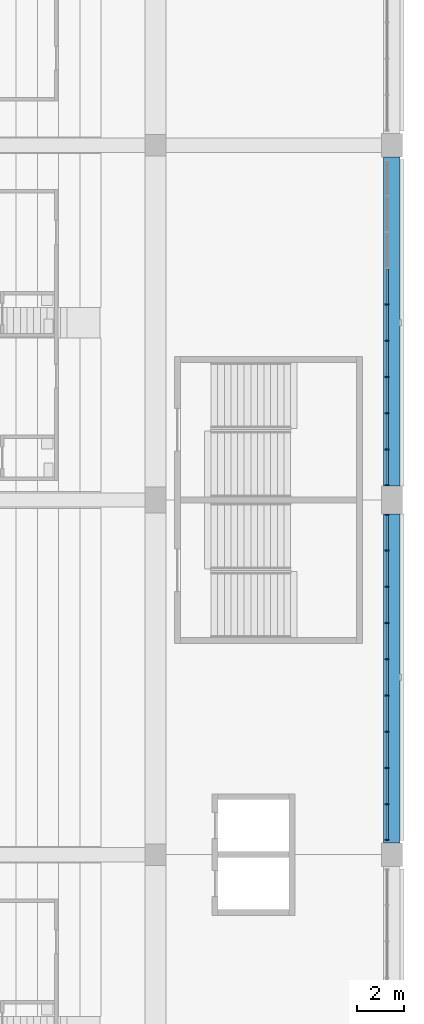
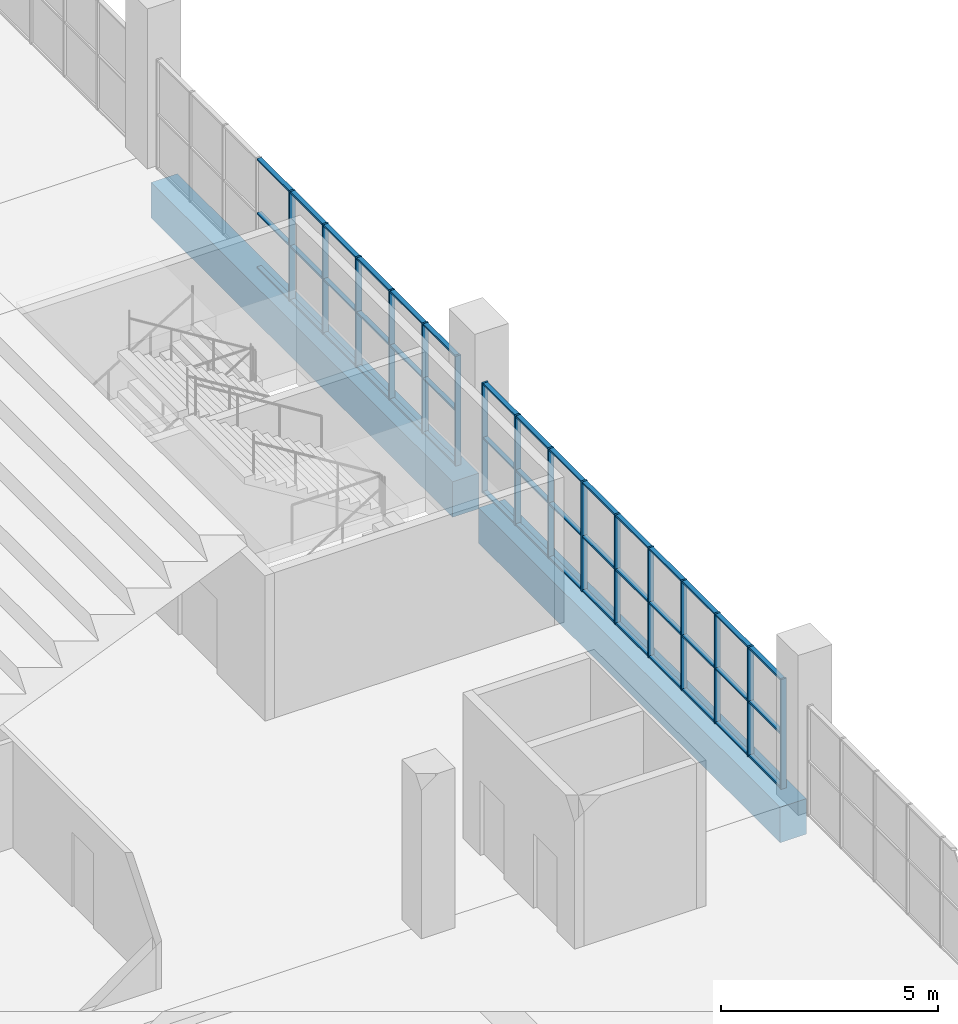
# One storey, part 37 of 249: 61 members, 2 beams, 2 elements without a shape of their own.
"""IFC4 building model written with IfcOpenShell, lengths in metres."""

import ifcopenshell
import ifcopenshell.guid

model = None  # the IFC model being written
_history = None  # IfcOwnerHistory: only IFC2X3 demands one
_inside = {}  # id of a spatial element -> (the spatial element, [elements in it])
_under = {}  # id of a project, library or spatial element -> (it, [spatial elements below it])
_declared = {}  # id of a project -> (the project, [libraries it declares])
_typed = {}  # id of a type object -> (the type object, [elements of that type])
_made_of = {}  # id of a material, layer set ... -> (it, [elements and type objects made of it])


def new_model(schema):
    """Start an empty IFC model of exactly this schema.

    Asked for "IFC4X3", IfcOpenShell would pick the latest addendum, in which some entities
    have other attributes; the version numbers below select the first issue.
    IFC2X3 requires an IfcOwnerHistory on every rooted entity: one is made here for all.
    """
    global model, _history
    if schema == "IFC4X3":
        model = ifcopenshell.file(schema_version=(4, 3, 0, 0))
    else:
        model = ifcopenshell.file(schema=schema)
    _inside.clear()
    _under.clear()
    _declared.clear()
    _typed.clear()
    _made_of.clear()
    _history = None
    if model.schema == "IFC2X3":
        org = make("IfcOrganization", Name="unknown")
        user = make(
            "IfcPersonAndOrganization",
            ThePerson=make("IfcPerson", FamilyName="unknown"),
            TheOrganization=org,
        )
        app = make(
            "IfcApplication",
            ApplicationDeveloper=org,
            Version="unknown",
            ApplicationFullName="unknown",
            ApplicationIdentifier="unknown",
        )
        _history = make(
            "IfcOwnerHistory",
            OwningUser=user,
            OwningApplication=app,
            ChangeAction="ADDED",
            CreationDate=0,
        )
    return model


def make(cls, **values):
    """One entity of the class cls with the attributes given. An attribute that is None is left unset."""
    return model.create_entity(
        cls, **{name: value for name, value in values.items() if value is not None}
    )


def rooted(cls, **values):
    """An entity with a GlobalId (a new one), such as an element, a storey or a relation."""
    return make(cls, GlobalId=ifcopenshell.guid.new(), OwnerHistory=_history, **values)


def si_unit(unit_type, name, prefix=None):
    """IfcSIUnit, for example si_unit("LENGTHUNIT", "METRE", prefix="MILLI")."""
    return make("IfcSIUnit", UnitType=unit_type, Prefix=prefix, Name=name)


def assignment(units):
    """IfcUnitAssignment: the units of a project."""
    return None if units is None else make("IfcUnitAssignment", Units=units)


def point(xyz):
    """IfcCartesianPoint."""
    return None if xyz is None else make("IfcCartesianPoint", Coordinates=xyz)


def direction(xyz):
    """IfcDirection."""
    return None if xyz is None else make("IfcDirection", DirectionRatios=xyz)


def frame(location, z_axis=None, x_axis=None):
    """IfcAxis2Placement3D, a coordinate frame: its origin and axes. An axis left out is left unset."""
    return make(
        "IfcAxis2Placement3D",
        Location=point(location),
        Axis=direction(z_axis),
        RefDirection=direction(x_axis),
    )


def frame_2d(location, x_axis=None):
    """IfcAxis2Placement2D, a coordinate frame in the plane: its origin and x axis."""
    return make(
        "IfcAxis2Placement2D", Location=point(location), RefDirection=direction(x_axis)
    )


def origin():
    """The frame at (0, 0, 0) with its axes left unset."""
    return frame((0.0, 0.0, 0.0))


def origin_2d():
    """The frame at (0, 0) in the plane with its x axis left unset."""
    return frame_2d((0.0, 0.0))


def place(relative_to, where):
    """IfcLocalPlacement: puts the frame where relative to a parent placement (None: the world)."""
    return make(
        "IfcLocalPlacement", PlacementRelTo=relative_to, RelativePlacement=where
    )


def context(
    kind, dimensions, precision=None, world=None, true_north=None, identifier=None
):
    """IfcGeometricRepresentationContext, for example the 3D "Model" context."""
    return make(
        "IfcGeometricRepresentationContext",
        ContextIdentifier=identifier,
        ContextType=kind,
        CoordinateSpaceDimension=dimensions,
        Precision=precision,
        WorldCoordinateSystem=world,
        TrueNorth=true_north,
    )


def subcontext(parent, identifier, kind, view, scale=None):
    """IfcGeometricRepresentationSubContext, for example "Body" below "Model"."""
    return make(
        "IfcGeometricRepresentationSubContext",
        ContextIdentifier=identifier,
        ContextType=kind,
        ParentContext=parent,
        TargetScale=scale,
        TargetView=view,
    )


def project(units=None, contexts=None):
    """IfcProject with its units and contexts."""
    return rooted(
        "IfcProject",
        Name="project",
        RepresentationContexts=contexts,
        UnitsInContext=assignment(units),
    )


def spatial(cls, under=None, at=None, **own):
    """A site, building, storey or space (cls), placed at a placement, below another one or the project."""
    s = rooted(cls, ObjectPlacement=at, **own)
    if under is not None:
        _under.setdefault(under.id(), (under, []))[1].append(s)
    return s


def profile(cls, at=None, kind="AREA", **sizes):
    """A parametric profile (cls). Its sizes go by their IFC names, for example OverallWidth=200.0."""
    return make(cls, ProfileType=kind, Position=at, **sizes)


def rectangle(**sizes):
    """IfcRectangleProfileDef."""
    return profile("IfcRectangleProfileDef", **sizes)


def extrude(swept, where, along, depth):
    """IfcExtrudedAreaSolid: the profile swept, set in the frame where, extruded along a direction by depth."""
    return make(
        "IfcExtrudedAreaSolid",
        SweptArea=swept,
        Position=where,
        ExtrudedDirection=direction(along),
        Depth=depth,
    )


def shape(context_of_items, identifier, shape_type, items):
    """IfcShapeRepresentation: the items that make up one representation, for example the "Body"."""
    return make(
        "IfcShapeRepresentation",
        ContextOfItems=context_of_items,
        RepresentationIdentifier=identifier,
        RepresentationType=shape_type,
        Items=items,
    )


def material(Name=None, Category=None):
    """IfcMaterial."""
    return make("IfcMaterial", Name=Name, Category=Category)


def material_profile(
    of_material, cross_section, Name=None, Category=None, Priority=None
):
    """IfcMaterialProfile: a cross section and its material."""
    return make(
        "IfcMaterialProfile",
        Name=Name,
        Material=of_material,
        Profile=cross_section,
        Priority=Priority,
        Category=Category,
    )


def profile_set(profiles, Name=None, composite=None):
    """IfcMaterialProfileSet."""
    return make(
        "IfcMaterialProfileSet",
        Name=Name,
        MaterialProfiles=profiles,
        CompositeProfile=composite,
    )


def made_of(thing, what):
    """Note that an element or type object is made of a material, layer set ...; save() writes the relation."""
    if what is not None:
        _made_of.setdefault(what.id(), (what, []))[1].append(thing)
    return thing


def type_object(cls, material=None, **own):
    """A type object (cls), such as IfcWallType, which elements share."""
    return made_of(rooted(cls, **own), material)


def element(
    cls,
    number,
    at=None,
    inside=None,
    cuts=None,
    type_object=None,
    material=None,
    context=None,
    identifier="Body",
    shape_type=None,
    held_by="IfcProductDefinitionShape",
    body=None,
    shapes=None,
    **own,
):
    """One element of the class cls, such as IfcWall. Its Tag is "e" and its number.

    at: its placement. inside: the storey or other place that contains it. cuts: it is an
    opening in that element (IfcRelVoidsElement). A single representation is given by context,
    identifier, shape_type and body (its items); several are given by shapes. held_by: the class
    of the entity that holds the representations. save() writes the other relations.
    """
    e = rooted(cls, Tag="e%d" % number, ObjectPlacement=at, **own)
    if body is not None:
        shapes = [shape(context, identifier, shape_type, body)]
    if shapes is not None:
        e.Representation = make(held_by, Representations=shapes)
    if inside is not None:
        _inside.setdefault(inside.id(), (inside, []))[1].append(e)
    if cuts is not None:
        rooted(
            "IfcRelVoidsElement", RelatingBuildingElement=cuts, RelatedOpeningElement=e
        )
    if type_object is not None:
        _typed.setdefault(type_object.id(), (type_object, []))[1].append(e)
    return made_of(e, material)


def aggregate(whole, parts):
    """IfcRelAggregates: a whole, such as a stair, and the parts it consists of."""
    return rooted("IfcRelAggregates", RelatingObject=whole, RelatedObjects=parts)


def save(model, path):
    """Write the relations noted so far, then the file.

    IfcRelAggregates (storeys below a building ...), IfcRelContainedInSpatialStructure (elements
    in a storey), IfcRelDefinesByType, IfcRelAssociatesMaterial and IfcRelDeclares: one each for
    every whole, place, type object, material and project.
    """
    for whole, parts in _under.values():
        aggregate(whole, parts)
    for where, things in _inside.values():
        rooted(
            "IfcRelContainedInSpatialStructure",
            RelatedElements=things,
            RelatingStructure=where,
        )
    for kind, things in _typed.values():
        rooted("IfcRelDefinesByType", RelatedObjects=things, RelatingType=kind)
    for what, things in _made_of.values():
        rooted("IfcRelAssociatesMaterial", RelatedObjects=things, RelatingMaterial=what)
    for by, libraries in _declared.values():
        rooted("IfcRelDeclares", RelatingContext=by, RelatedDefinitions=libraries)
    model.write(path)


model = new_model("IFC4")

# Units and contexts
model_context = context("Model", 3, precision=1e-05, world=origin(), true_north=direction((0.0, 1.0)))
body_context = subcontext(model_context, "Body", "Model", "MODEL_VIEW")
ifc_project = project(units=[si_unit("LENGTHUNIT", "METRE"), si_unit("AREAUNIT", "SQUARE_METRE"), si_unit("VOLUMEUNIT", "CUBIC_METRE"), si_unit("PLANEANGLEUNIT", "RADIAN"), si_unit("MASSUNIT", "GRAM", prefix="KILO")], contexts=[model_context])

# Site, building, storey
site_placement = place(None, origin())
site = spatial("IfcSite", under=ifc_project, at=site_placement, CompositionType="ELEMENT")
building_placement = place(site_placement, origin())
building = spatial("IfcBuilding", under=site, at=building_placement, Name="Ogive Plaza Stadium", CompositionType="ELEMENT")
storey_placement = place(building_placement, frame((0.0, 0.0, 13.5)))
storey = spatial("IfcBuildingStorey", under=building, at=storey_placement, Name="L03", CompositionType="ELEMENT", Elevation=13.5)

# Curtain wall, members
ifc_material_1 = material(Name="Bronze-anodised aluminium with laminated glass", Category="aluminium")
curtain_wall_type = type_object("IfcCurtainWallType", Name="Lancet curtain wall", PredefinedType="NOTDEFINED", material=ifc_material_1)
curtain_wall_1_placement = place(storey_placement, origin())
curtain_wall_1 = element("IfcCurtainWall", 1, at=curtain_wall_1_placement, inside=storey, type_object=curtain_wall_type, Name="CURTAIN WALL B03 L03", PredefinedType="NOTDEFINED")
ifc_material_2 = material(Name="Bronze-anodised aluminium", Category="aluminium")
ifc_material_profile_1 = material_profile(ifc_material_2, rectangle(XDim=0.14990234375, YDim=0.050048828125, at=origin_2d()), Name="AL 150x50")
ifc_profile_set_1 = profile_set([ifc_material_profile_1], Name="Bronze-anodised aluminium")
member_type_1 = type_object("IfcMemberType", Name="Curtain wall mullion 50x150", PredefinedType="MULLION", material=ifc_profile_set_1)
member_1_placement = place(storey_placement, frame((83.800048828125, 15.7666015625, 0.0), z_axis=(0.0, 0.0, 1.0), x_axis=(1.0, 0.0, 0.0)))
member_1 = element("IfcMember", 2, at=member_1_placement, type_object=member_type_1, Name="CW-B03-L03 mullion 5", PredefinedType="MULLION", context=body_context, shape_type="SweptSolid", body=[
    extrude(rectangle(XDim=0.14990234375, YDim=0.050048828125, at=origin_2d()), origin(), (0.0, 0.0, 1.0), 3.090087890625),
])
member_2_placement = place(storey_placement, frame((83.800048828125, 14.2333984375, 0.0), z_axis=(0.0, 0.0, 1.0), x_axis=(1.0, 0.0, 0.0)))
member_2 = element("IfcMember", 3, at=member_2_placement, type_object=member_type_1, Name="CW-B03-L03 mullion 6", PredefinedType="MULLION", context=body_context, shape_type="SweptSolid", body=[
    extrude(rectangle(XDim=0.14990234375, YDim=0.050048828125, at=origin_2d()), origin(), (0.0, 0.0, 1.0), 3.090087890625),
])
member_3_placement = place(storey_placement, frame((83.800048828125, 12.699951171875, 0.0), z_axis=(0.0, 0.0, 1.0), x_axis=(1.0, 0.0, 0.0)))
member_3 = element("IfcMember", 4, at=member_3_placement, type_object=member_type_1, Name="CW-B03-L03 mullion 7", PredefinedType="MULLION", context=body_context, shape_type="SweptSolid", body=[
    extrude(rectangle(XDim=0.14990234375, YDim=0.050048828125, at=origin_2d()), origin(), (0.0, 0.0, 1.0), 3.090087890625),
])
member_4_placement = place(storey_placement, frame((83.800048828125, 11.166748046875, 0.0), z_axis=(0.0, 0.0, 1.0), x_axis=(1.0, 0.0, 0.0)))
member_4 = element("IfcMember", 5, at=member_4_placement, type_object=member_type_1, Name="CW-B03-L03 mullion 8", PredefinedType="MULLION", context=body_context, shape_type="SweptSolid", body=[
    extrude(rectangle(XDim=0.14990234375, YDim=0.050048828125, at=origin_2d()), origin(), (0.0, 0.0, 1.0), 3.090087890625),
])
member_5_placement = place(storey_placement, frame((83.800048828125, 9.63330078125, 0.0), z_axis=(0.0, 0.0, 1.0), x_axis=(1.0, 0.0, 0.0)))
member_5 = element("IfcMember", 6, at=member_5_placement, type_object=member_type_1, Name="CW-B03-L03 mullion 9", PredefinedType="MULLION", context=body_context, shape_type="SweptSolid", body=[
    extrude(rectangle(XDim=0.14990234375, YDim=0.050048828125, at=origin_2d()), origin(), (0.0, 0.0, 1.0), 3.090087890625),
])
member_6_placement = place(storey_placement, frame((83.800048828125, 8.125, 0.0), z_axis=(0.0, 0.0, 1.0), x_axis=(1.0, 0.0, 0.0)))
member_6 = element("IfcMember", 7, at=member_6_placement, type_object=member_type_1, Name="CW-B03-L03 mullion 10", PredefinedType="MULLION", context=body_context, shape_type="SweptSolid", body=[
    extrude(rectangle(XDim=0.14990234375, YDim=0.050048828125, at=origin_2d()), origin(), (0.0, 0.0, 1.0), 3.090087890625),
])

curtain_wall_2_placement = place(storey_placement, origin())
curtain_wall_2 = element("IfcCurtainWall", 8, at=curtain_wall_2_placement, inside=storey, type_object=curtain_wall_type, Name="CURTAIN WALL B04 L03", PredefinedType="NOTDEFINED")
member_7_placement = place(storey_placement, frame((83.800048828125, 6.875, 0.0), z_axis=(0.0, 0.0, 1.0), x_axis=(1.0, 0.0, 0.0)))
member_7 = element("IfcMember", 9, at=member_7_placement, type_object=member_type_1, Name="CW-B04-L03 mullion 1", PredefinedType="MULLION", context=body_context, shape_type="SweptSolid", body=[
    extrude(rectangle(XDim=0.14990234375, YDim=0.050048828125, at=origin_2d()), origin(), (0.0, 0.0, 1.0), 3.090087890625),
])
member_8_placement = place(storey_placement, frame((83.800048828125, 5.36669921875, 0.0), z_axis=(0.0, 0.0, 1.0), x_axis=(1.0, 0.0, 0.0)))
member_8 = element("IfcMember", 10, at=member_8_placement, type_object=member_type_1, Name="CW-B04-L03 mullion 2", PredefinedType="MULLION", context=body_context, shape_type="SweptSolid", body=[
    extrude(rectangle(XDim=0.14990234375, YDim=0.050048828125, at=origin_2d()), origin(), (0.0, 0.0, 1.0), 3.090087890625),
])
member_9_placement = place(storey_placement, frame((83.800048828125, 3.833251953125, 0.0), z_axis=(0.0, 0.0, 1.0), x_axis=(1.0, 0.0, 0.0)))
member_9 = element("IfcMember", 11, at=member_9_placement, type_object=member_type_1, Name="CW-B04-L03 mullion 3", PredefinedType="MULLION", context=body_context, shape_type="SweptSolid", body=[
    extrude(rectangle(XDim=0.14990234375, YDim=0.050048828125, at=origin_2d()), origin(), (0.0, 0.0, 1.0), 3.090087890625),
])
member_10_placement = place(storey_placement, frame((83.800048828125, 2.300048828125, 0.0), z_axis=(0.0, 0.0, 1.0), x_axis=(1.0, 0.0, 0.0)))
member_10 = element("IfcMember", 12, at=member_10_placement, type_object=member_type_1, Name="CW-B04-L03 mullion 4", PredefinedType="MULLION", context=body_context, shape_type="SweptSolid", body=[
    extrude(rectangle(XDim=0.14990234375, YDim=0.050048828125, at=origin_2d()), origin(), (0.0, 0.0, 1.0), 3.090087890625),
])
member_11_placement = place(storey_placement, frame((83.800048828125, 0.7666015625, 0.0), z_axis=(0.0, 0.0, 1.0), x_axis=(1.0, 0.0, 0.0)))
member_11 = element("IfcMember", 13, at=member_11_placement, type_object=member_type_1, Name="CW-B04-L03 mullion 5", PredefinedType="MULLION", context=body_context, shape_type="SweptSolid", body=[
    extrude(rectangle(XDim=0.14990234375, YDim=0.050048828125, at=origin_2d()), origin(), (0.0, 0.0, 1.0), 3.090087890625),
])
member_12_placement = place(storey_placement, frame((83.800048828125, -0.7666015625, 0.0), z_axis=(0.0, 0.0, 1.0), x_axis=(1.0, 0.0, 0.0)))
member_12 = element("IfcMember", 14, at=member_12_placement, type_object=member_type_1, Name="CW-B04-L03 mullion 6", PredefinedType="MULLION", context=body_context, shape_type="SweptSolid", body=[
    extrude(rectangle(XDim=0.14990234375, YDim=0.050048828125, at=origin_2d()), origin(), (0.0, 0.0, 1.0), 3.090087890625),
])
member_13_placement = place(storey_placement, frame((83.800048828125, -2.300048828125, 0.0), z_axis=(0.0, 0.0, 1.0), x_axis=(1.0, 0.0, 0.0)))
member_13 = element("IfcMember", 15, at=member_13_placement, type_object=member_type_1, Name="CW-B04-L03 mullion 7", PredefinedType="MULLION", context=body_context, shape_type="SweptSolid", body=[
    extrude(rectangle(XDim=0.14990234375, YDim=0.050048828125, at=origin_2d()), origin(), (0.0, 0.0, 1.0), 3.090087890625),
])
member_14_placement = place(storey_placement, frame((83.800048828125, -3.833251953125, 0.0), z_axis=(0.0, 0.0, 1.0), x_axis=(1.0, 0.0, 0.0)))
member_14 = element("IfcMember", 16, at=member_14_placement, type_object=member_type_1, Name="CW-B04-L03 mullion 8", PredefinedType="MULLION", context=body_context, shape_type="SweptSolid", body=[
    extrude(rectangle(XDim=0.14990234375, YDim=0.050048828125, at=origin_2d()), origin(), (0.0, 0.0, 1.0), 3.090087890625),
])
member_15_placement = place(storey_placement, frame((83.800048828125, -5.36669921875, 0.0), z_axis=(0.0, 0.0, 1.0), x_axis=(1.0, 0.0, 0.0)))
member_15 = element("IfcMember", 17, at=member_15_placement, type_object=member_type_1, Name="CW-B04-L03 mullion 9", PredefinedType="MULLION", context=body_context, shape_type="SweptSolid", body=[
    extrude(rectangle(XDim=0.14990234375, YDim=0.050048828125, at=origin_2d()), origin(), (0.0, 0.0, 1.0), 3.090087890625),
])
member_16_placement = place(storey_placement, frame((83.800048828125, -6.875, 0.0), z_axis=(0.0, 0.0, 1.0), x_axis=(1.0, 0.0, 0.0)))
member_16 = element("IfcMember", 18, at=member_16_placement, type_object=member_type_1, Name="CW-B04-L03 mullion 10", PredefinedType="MULLION", context=body_context, shape_type="SweptSolid", body=[
    extrude(rectangle(XDim=0.14990234375, YDim=0.050048828125, at=origin_2d()), origin(), (0.0, 0.0, 1.0), 3.090087890625),
])

# Member
ifc_material_3 = material(Name="Bronze-anodised aluminium", Category="aluminium")
ifc_material_profile_2 = material_profile(ifc_material_3, rectangle(XDim=0.1201171875, YDim=0.050048828125, at=origin_2d()), Name="AL 120x50")
ifc_profile_set_2 = profile_set([ifc_material_profile_2], Name="Bronze-anodised aluminium")
member_type_2 = type_object("IfcMemberType", Name="Curtain wall transom 50x120", PredefinedType="USERDEFINED", material=ifc_profile_set_2)
member_17_placement = place(storey_placement, frame((83.800048828125, 17.27490234375, 0.02490234375), z_axis=(0.0, -1.0, 0.0), x_axis=(1.0, 0.0, 0.0)))
member_17 = element("IfcMember", 19, at=member_17_placement, type_object=member_type_2, Name="CW-B03-L03 transom 4.1", ObjectType="TRANSOM", PredefinedType="USERDEFINED", context=body_context, shape_type="SweptSolid", body=[
    extrude(rectangle(XDim=0.1201171875, YDim=0.050048828125, at=origin_2d()), origin(), (0.0, 0.0, 1.0), 1.483154296875),
])

member_18_placement = place(storey_placement, frame((83.800048828125, 17.27490234375, 1.544921875), z_axis=(0.0, -1.0, 0.0), x_axis=(1.0, 0.0, 0.0)))
member_18 = element("IfcMember", 20, at=member_18_placement, type_object=member_type_2, Name="CW-B03-L03 transom 4.2", ObjectType="TRANSOM", PredefinedType="USERDEFINED", context=body_context, shape_type="SweptSolid", body=[
    extrude(rectangle(XDim=0.1201171875, YDim=0.050048828125, at=origin_2d()), origin(), (0.0, 0.0, 1.0), 1.483154296875),
])

member_19_placement = place(storey_placement, frame((83.800048828125, 17.27490234375, 3.06494140625), z_axis=(0.0, -1.0, 0.0), x_axis=(1.0, 0.0, 0.0)))
member_19 = element("IfcMember", 21, at=member_19_placement, type_object=member_type_2, Name="CW-B03-L03 transom 4.3", ObjectType="TRANSOM", PredefinedType="USERDEFINED", context=body_context, shape_type="SweptSolid", body=[
    extrude(rectangle(XDim=0.1201171875, YDim=0.050048828125, at=origin_2d()), origin(), (0.0, 0.0, 1.0), 1.483154296875),
])

member_20_placement = place(storey_placement, frame((83.800048828125, 15.74169921875, 0.02490234375), z_axis=(0.0, -1.0, 0.0), x_axis=(1.0, 0.0, 0.0)))
member_20 = element("IfcMember", 22, at=member_20_placement, type_object=member_type_2, Name="CW-B03-L03 transom 5.1", ObjectType="TRANSOM", PredefinedType="USERDEFINED", context=body_context, shape_type="SweptSolid", body=[
    extrude(rectangle(XDim=0.1201171875, YDim=0.050048828125, at=origin_2d()), origin(), (0.0, 0.0, 1.0), 1.4833984375),
])

member_21_placement = place(storey_placement, frame((83.800048828125, 15.74169921875, 1.544921875), z_axis=(0.0, -1.0, 0.0), x_axis=(1.0, 0.0, 0.0)))
member_21 = element("IfcMember", 23, at=member_21_placement, type_object=member_type_2, Name="CW-B03-L03 transom 5.2", ObjectType="TRANSOM", PredefinedType="USERDEFINED", context=body_context, shape_type="SweptSolid", body=[
    extrude(rectangle(XDim=0.1201171875, YDim=0.050048828125, at=origin_2d()), origin(), (0.0, 0.0, 1.0), 1.4833984375),
])

member_22_placement = place(storey_placement, frame((83.800048828125, 15.74169921875, 3.06494140625), z_axis=(0.0, -1.0, 0.0), x_axis=(1.0, 0.0, 0.0)))
member_22 = element("IfcMember", 24, at=member_22_placement, type_object=member_type_2, Name="CW-B03-L03 transom 5.3", ObjectType="TRANSOM", PredefinedType="USERDEFINED", context=body_context, shape_type="SweptSolid", body=[
    extrude(rectangle(XDim=0.1201171875, YDim=0.050048828125, at=origin_2d()), origin(), (0.0, 0.0, 1.0), 1.4833984375),
])

member_23_placement = place(storey_placement, frame((83.800048828125, 14.208251953125, 0.02490234375), z_axis=(0.0, -1.0, 0.0), x_axis=(1.0, 0.0, 0.0)))
member_23 = element("IfcMember", 25, at=member_23_placement, type_object=member_type_2, Name="CW-B03-L03 transom 6.1", ObjectType="TRANSOM", PredefinedType="USERDEFINED", context=body_context, shape_type="SweptSolid", body=[
    extrude(rectangle(XDim=0.1201171875, YDim=0.050048828125, at=origin_2d()), origin(), (0.0, 0.0, 1.0), 1.483154296875),
])

member_24_placement = place(storey_placement, frame((83.800048828125, 14.208251953125, 1.544921875), z_axis=(0.0, -1.0, 0.0), x_axis=(1.0, 0.0, 0.0)))
member_24 = element("IfcMember", 26, at=member_24_placement, type_object=member_type_2, Name="CW-B03-L03 transom 6.2", ObjectType="TRANSOM", PredefinedType="USERDEFINED", context=body_context, shape_type="SweptSolid", body=[
    extrude(rectangle(XDim=0.1201171875, YDim=0.050048828125, at=origin_2d()), origin(), (0.0, 0.0, 1.0), 1.483154296875),
])

member_25_placement = place(storey_placement, frame((83.800048828125, 14.208251953125, 3.06494140625), z_axis=(0.0, -1.0, 0.0), x_axis=(1.0, 0.0, 0.0)))
member_25 = element("IfcMember", 27, at=member_25_placement, type_object=member_type_2, Name="CW-B03-L03 transom 6.3", ObjectType="TRANSOM", PredefinedType="USERDEFINED", context=body_context, shape_type="SweptSolid", body=[
    extrude(rectangle(XDim=0.1201171875, YDim=0.050048828125, at=origin_2d()), origin(), (0.0, 0.0, 1.0), 1.483154296875),
])

member_26_placement = place(storey_placement, frame((83.800048828125, 12.675048828125, 0.02490234375), z_axis=(0.0, -1.0, 0.0), x_axis=(1.0, 0.0, 0.0)))
member_26 = element("IfcMember", 28, at=member_26_placement, type_object=member_type_2, Name="CW-B03-L03 transom 7.1", ObjectType="TRANSOM", PredefinedType="USERDEFINED", context=body_context, shape_type="SweptSolid", body=[
    extrude(rectangle(XDim=0.1201171875, YDim=0.050048828125, at=origin_2d()), origin(), (0.0, 0.0, 1.0), 1.4833984375),
])

member_27_placement = place(storey_placement, frame((83.800048828125, 12.675048828125, 1.544921875), z_axis=(0.0, -1.0, 0.0), x_axis=(1.0, 0.0, 0.0)))
member_27 = element("IfcMember", 29, at=member_27_placement, type_object=member_type_2, Name="CW-B03-L03 transom 7.2", ObjectType="TRANSOM", PredefinedType="USERDEFINED", context=body_context, shape_type="SweptSolid", body=[
    extrude(rectangle(XDim=0.1201171875, YDim=0.050048828125, at=origin_2d()), origin(), (0.0, 0.0, 1.0), 1.4833984375),
])

member_28_placement = place(storey_placement, frame((83.800048828125, 12.675048828125, 3.06494140625), z_axis=(0.0, -1.0, 0.0), x_axis=(1.0, 0.0, 0.0)))
member_28 = element("IfcMember", 30, at=member_28_placement, type_object=member_type_2, Name="CW-B03-L03 transom 7.3", ObjectType="TRANSOM", PredefinedType="USERDEFINED", context=body_context, shape_type="SweptSolid", body=[
    extrude(rectangle(XDim=0.1201171875, YDim=0.050048828125, at=origin_2d()), origin(), (0.0, 0.0, 1.0), 1.4833984375),
])

member_29_placement = place(storey_placement, frame((83.800048828125, 11.1416015625, 0.02490234375), z_axis=(0.0, -1.0, 0.0), x_axis=(1.0, 0.0, 0.0)))
member_29 = element("IfcMember", 31, at=member_29_placement, type_object=member_type_2, Name="CW-B03-L03 transom 8.1", ObjectType="TRANSOM", PredefinedType="USERDEFINED", context=body_context, shape_type="SweptSolid", body=[
    extrude(rectangle(XDim=0.1201171875, YDim=0.050048828125, at=origin_2d()), origin(), (0.0, 0.0, 1.0), 1.483154296875),
])

member_30_placement = place(storey_placement, frame((83.800048828125, 11.1416015625, 1.544921875), z_axis=(0.0, -1.0, 0.0), x_axis=(1.0, 0.0, 0.0)))
member_30 = element("IfcMember", 32, at=member_30_placement, type_object=member_type_2, Name="CW-B03-L03 transom 8.2", ObjectType="TRANSOM", PredefinedType="USERDEFINED", context=body_context, shape_type="SweptSolid", body=[
    extrude(rectangle(XDim=0.1201171875, YDim=0.050048828125, at=origin_2d()), origin(), (0.0, 0.0, 1.0), 1.483154296875),
])

member_31_placement = place(storey_placement, frame((83.800048828125, 11.1416015625, 3.06494140625), z_axis=(0.0, -1.0, 0.0), x_axis=(1.0, 0.0, 0.0)))
member_31 = element("IfcMember", 33, at=member_31_placement, type_object=member_type_2, Name="CW-B03-L03 transom 8.3", ObjectType="TRANSOM", PredefinedType="USERDEFINED", context=body_context, shape_type="SweptSolid", body=[
    extrude(rectangle(XDim=0.1201171875, YDim=0.050048828125, at=origin_2d()), origin(), (0.0, 0.0, 1.0), 1.483154296875),
])

member_32_placement = place(storey_placement, frame((83.800048828125, 9.6083984375, 0.02490234375), z_axis=(0.0, -1.0, 0.0), x_axis=(1.0, 0.0, 0.0)))
member_32 = element("IfcMember", 34, at=member_32_placement, type_object=member_type_2, Name="CW-B03-L03 transom 9.1", ObjectType="TRANSOM", PredefinedType="USERDEFINED", context=body_context, shape_type="SweptSolid", body=[
    extrude(rectangle(XDim=0.1201171875, YDim=0.050048828125, at=origin_2d()), origin(), (0.0, 0.0, 1.0), 1.45849609375),
])

member_33_placement = place(storey_placement, frame((83.800048828125, 9.6083984375, 1.544921875), z_axis=(0.0, -1.0, 0.0), x_axis=(1.0, 0.0, 0.0)))
member_33 = element("IfcMember", 35, at=member_33_placement, type_object=member_type_2, Name="CW-B03-L03 transom 9.2", ObjectType="TRANSOM", PredefinedType="USERDEFINED", context=body_context, shape_type="SweptSolid", body=[
    extrude(rectangle(XDim=0.1201171875, YDim=0.050048828125, at=origin_2d()), origin(), (0.0, 0.0, 1.0), 1.45849609375),
])

member_34_placement = place(storey_placement, frame((83.800048828125, 9.6083984375, 3.06494140625), z_axis=(0.0, -1.0, 0.0), x_axis=(1.0, 0.0, 0.0)))
member_34 = element("IfcMember", 36, at=member_34_placement, type_object=member_type_2, Name="CW-B03-L03 transom 9.3", ObjectType="TRANSOM", PredefinedType="USERDEFINED", context=body_context, shape_type="SweptSolid", body=[
    extrude(rectangle(XDim=0.1201171875, YDim=0.050048828125, at=origin_2d()), origin(), (0.0, 0.0, 1.0), 1.45849609375),
])

aggregate(curtain_wall_1, [member_1, member_2, member_3, member_4, member_5, member_6, member_17, member_18, member_19, member_20, member_21, member_22, member_23, member_24, member_25, member_26, member_27, member_28, member_29, member_30, member_31, member_32, member_33, member_34])

member_35_placement = place(storey_placement, frame((83.800048828125, 6.85009765625, 0.02490234375), z_axis=(0.0, -1.0, 0.0), x_axis=(1.0, 0.0, 0.0)))
member_35 = element("IfcMember", 37, at=member_35_placement, type_object=member_type_2, Name="CW-B04-L03 transom 1.1", ObjectType="TRANSOM", PredefinedType="USERDEFINED", context=body_context, shape_type="SweptSolid", body=[
    extrude(rectangle(XDim=0.1201171875, YDim=0.050048828125, at=origin_2d()), origin(), (0.0, 0.0, 1.0), 1.45849609375),
])

member_36_placement = place(storey_placement, frame((83.800048828125, 6.85009765625, 1.544921875), z_axis=(0.0, -1.0, 0.0), x_axis=(1.0, 0.0, 0.0)))
member_36 = element("IfcMember", 38, at=member_36_placement, type_object=member_type_2, Name="CW-B04-L03 transom 1.2", ObjectType="TRANSOM", PredefinedType="USERDEFINED", context=body_context, shape_type="SweptSolid", body=[
    extrude(rectangle(XDim=0.1201171875, YDim=0.050048828125, at=origin_2d()), origin(), (0.0, 0.0, 1.0), 1.45849609375),
])

member_37_placement = place(storey_placement, frame((83.800048828125, 6.85009765625, 3.06494140625), z_axis=(0.0, -1.0, 0.0), x_axis=(1.0, 0.0, 0.0)))
member_37 = element("IfcMember", 39, at=member_37_placement, type_object=member_type_2, Name="CW-B04-L03 transom 1.3", ObjectType="TRANSOM", PredefinedType="USERDEFINED", context=body_context, shape_type="SweptSolid", body=[
    extrude(rectangle(XDim=0.1201171875, YDim=0.050048828125, at=origin_2d()), origin(), (0.0, 0.0, 1.0), 1.45849609375),
])

member_38_placement = place(storey_placement, frame((83.800048828125, 5.341552734375, 0.02490234375), z_axis=(0.0, -1.0, 0.0), x_axis=(1.0, 0.0, 0.0)))
member_38 = element("IfcMember", 40, at=member_38_placement, type_object=member_type_2, Name="CW-B04-L03 transom 2.1", ObjectType="TRANSOM", PredefinedType="USERDEFINED", context=body_context, shape_type="SweptSolid", body=[
    extrude(rectangle(XDim=0.1201171875, YDim=0.050048828125, at=origin_2d()), origin(), (0.0, 0.0, 1.0), 1.483154296875),
])

member_39_placement = place(storey_placement, frame((83.800048828125, 5.341552734375, 1.544921875), z_axis=(0.0, -1.0, 0.0), x_axis=(1.0, 0.0, 0.0)))
member_39 = element("IfcMember", 41, at=member_39_placement, type_object=member_type_2, Name="CW-B04-L03 transom 2.2", ObjectType="TRANSOM", PredefinedType="USERDEFINED", context=body_context, shape_type="SweptSolid", body=[
    extrude(rectangle(XDim=0.1201171875, YDim=0.050048828125, at=origin_2d()), origin(), (0.0, 0.0, 1.0), 1.483154296875),
])

member_40_placement = place(storey_placement, frame((83.800048828125, 5.341552734375, 3.06494140625), z_axis=(0.0, -1.0, 0.0), x_axis=(1.0, 0.0, 0.0)))
member_40 = element("IfcMember", 42, at=member_40_placement, type_object=member_type_2, Name="CW-B04-L03 transom 2.3", ObjectType="TRANSOM", PredefinedType="USERDEFINED", context=body_context, shape_type="SweptSolid", body=[
    extrude(rectangle(XDim=0.1201171875, YDim=0.050048828125, at=origin_2d()), origin(), (0.0, 0.0, 1.0), 1.483154296875),
])

member_41_placement = place(storey_placement, frame((83.800048828125, 3.808349609375, 0.02490234375), z_axis=(0.0, -1.0, 0.0), x_axis=(1.0, 0.0, 0.0)))
member_41 = element("IfcMember", 43, at=member_41_placement, type_object=member_type_2, Name="CW-B04-L03 transom 3.1", ObjectType="TRANSOM", PredefinedType="USERDEFINED", context=body_context, shape_type="SweptSolid", body=[
    extrude(rectangle(XDim=0.1201171875, YDim=0.050048828125, at=origin_2d()), origin(), (0.0, 0.0, 1.0), 1.4833984375),
])

member_42_placement = place(storey_placement, frame((83.800048828125, 3.808349609375, 1.544921875), z_axis=(0.0, -1.0, 0.0), x_axis=(1.0, 0.0, 0.0)))
member_42 = element("IfcMember", 44, at=member_42_placement, type_object=member_type_2, Name="CW-B04-L03 transom 3.2", ObjectType="TRANSOM", PredefinedType="USERDEFINED", context=body_context, shape_type="SweptSolid", body=[
    extrude(rectangle(XDim=0.1201171875, YDim=0.050048828125, at=origin_2d()), origin(), (0.0, 0.0, 1.0), 1.4833984375),
])

member_43_placement = place(storey_placement, frame((83.800048828125, 3.808349609375, 3.06494140625), z_axis=(0.0, -1.0, 0.0), x_axis=(1.0, 0.0, 0.0)))
member_43 = element("IfcMember", 45, at=member_43_placement, type_object=member_type_2, Name="CW-B04-L03 transom 3.3", ObjectType="TRANSOM", PredefinedType="USERDEFINED", context=body_context, shape_type="SweptSolid", body=[
    extrude(rectangle(XDim=0.1201171875, YDim=0.050048828125, at=origin_2d()), origin(), (0.0, 0.0, 1.0), 1.4833984375),
])

member_44_placement = place(storey_placement, frame((83.800048828125, 2.27490234375, 0.02490234375), z_axis=(0.0, -1.0, 0.0), x_axis=(1.0, 0.0, 0.0)))
member_44 = element("IfcMember", 46, at=member_44_placement, type_object=member_type_2, Name="CW-B04-L03 transom 4.1", ObjectType="TRANSOM", PredefinedType="USERDEFINED", context=body_context, shape_type="SweptSolid", body=[
    extrude(rectangle(XDim=0.1201171875, YDim=0.050048828125, at=origin_2d()), origin(), (0.0, 0.0, 1.0), 1.483154296875),
])

member_45_placement = place(storey_placement, frame((83.800048828125, 2.27490234375, 1.544921875), z_axis=(0.0, -1.0, 0.0), x_axis=(1.0, 0.0, 0.0)))
member_45 = element("IfcMember", 47, at=member_45_placement, type_object=member_type_2, Name="CW-B04-L03 transom 4.2", ObjectType="TRANSOM", PredefinedType="USERDEFINED", context=body_context, shape_type="SweptSolid", body=[
    extrude(rectangle(XDim=0.1201171875, YDim=0.050048828125, at=origin_2d()), origin(), (0.0, 0.0, 1.0), 1.483154296875),
])

member_46_placement = place(storey_placement, frame((83.800048828125, 2.27490234375, 3.06494140625), z_axis=(0.0, -1.0, 0.0), x_axis=(1.0, 0.0, 0.0)))
member_46 = element("IfcMember", 48, at=member_46_placement, type_object=member_type_2, Name="CW-B04-L03 transom 4.3", ObjectType="TRANSOM", PredefinedType="USERDEFINED", context=body_context, shape_type="SweptSolid", body=[
    extrude(rectangle(XDim=0.1201171875, YDim=0.050048828125, at=origin_2d()), origin(), (0.0, 0.0, 1.0), 1.483154296875),
])

member_47_placement = place(storey_placement, frame((83.800048828125, 0.74169921875, 0.02490234375), z_axis=(0.0, -1.0, 0.0), x_axis=(1.0, 0.0, 0.0)))
member_47 = element("IfcMember", 49, at=member_47_placement, type_object=member_type_2, Name="CW-B04-L03 transom 5.1", ObjectType="TRANSOM", PredefinedType="USERDEFINED", context=body_context, shape_type="SweptSolid", body=[
    extrude(rectangle(XDim=0.1201171875, YDim=0.050048828125, at=origin_2d()), origin(), (0.0, 0.0, 1.0), 1.4833984375),
])

member_48_placement = place(storey_placement, frame((83.800048828125, 0.74169921875, 1.544921875), z_axis=(0.0, -1.0, 0.0), x_axis=(1.0, 0.0, 0.0)))
member_48 = element("IfcMember", 50, at=member_48_placement, type_object=member_type_2, Name="CW-B04-L03 transom 5.2", ObjectType="TRANSOM", PredefinedType="USERDEFINED", context=body_context, shape_type="SweptSolid", body=[
    extrude(rectangle(XDim=0.1201171875, YDim=0.050048828125, at=origin_2d()), origin(), (0.0, 0.0, 1.0), 1.4833984375),
])

member_49_placement = place(storey_placement, frame((83.800048828125, 0.74169921875, 3.06494140625), z_axis=(0.0, -1.0, 0.0), x_axis=(1.0, 0.0, 0.0)))
member_49 = element("IfcMember", 51, at=member_49_placement, type_object=member_type_2, Name="CW-B04-L03 transom 5.3", ObjectType="TRANSOM", PredefinedType="USERDEFINED", context=body_context, shape_type="SweptSolid", body=[
    extrude(rectangle(XDim=0.1201171875, YDim=0.050048828125, at=origin_2d()), origin(), (0.0, 0.0, 1.0), 1.4833984375),
])

member_50_placement = place(storey_placement, frame((83.800048828125, -0.791748046875, 0.02490234375), z_axis=(0.0, -1.0, 0.0), x_axis=(1.0, 0.0, 0.0)))
member_50 = element("IfcMember", 52, at=member_50_placement, type_object=member_type_2, Name="CW-B04-L03 transom 6.1", ObjectType="TRANSOM", PredefinedType="USERDEFINED", context=body_context, shape_type="SweptSolid", body=[
    extrude(rectangle(XDim=0.1201171875, YDim=0.050048828125, at=origin_2d()), origin(), (0.0, 0.0, 1.0), 1.483154296875),
])

member_51_placement = place(storey_placement, frame((83.800048828125, -0.791748046875, 1.544921875), z_axis=(0.0, -1.0, 0.0), x_axis=(1.0, 0.0, 0.0)))
member_51 = element("IfcMember", 53, at=member_51_placement, type_object=member_type_2, Name="CW-B04-L03 transom 6.2", ObjectType="TRANSOM", PredefinedType="USERDEFINED", context=body_context, shape_type="SweptSolid", body=[
    extrude(rectangle(XDim=0.1201171875, YDim=0.050048828125, at=origin_2d()), origin(), (0.0, 0.0, 1.0), 1.483154296875),
])

member_52_placement = place(storey_placement, frame((83.800048828125, -0.791748046875, 3.06494140625), z_axis=(0.0, -1.0, 0.0), x_axis=(1.0, 0.0, 0.0)))
member_52 = element("IfcMember", 54, at=member_52_placement, type_object=member_type_2, Name="CW-B04-L03 transom 6.3", ObjectType="TRANSOM", PredefinedType="USERDEFINED", context=body_context, shape_type="SweptSolid", body=[
    extrude(rectangle(XDim=0.1201171875, YDim=0.050048828125, at=origin_2d()), origin(), (0.0, 0.0, 1.0), 1.483154296875),
])

member_53_placement = place(storey_placement, frame((83.800048828125, -2.324951171875, 0.02490234375), z_axis=(0.0, -1.0, 0.0), x_axis=(1.0, 0.0, 0.0)))
member_53 = element("IfcMember", 55, at=member_53_placement, type_object=member_type_2, Name="CW-B04-L03 transom 7.1", ObjectType="TRANSOM", PredefinedType="USERDEFINED", context=body_context, shape_type="SweptSolid", body=[
    extrude(rectangle(XDim=0.1201171875, YDim=0.050048828125, at=origin_2d()), origin(), (0.0, 0.0, 1.0), 1.4833984375),
])

member_54_placement = place(storey_placement, frame((83.800048828125, -2.324951171875, 1.544921875), z_axis=(0.0, -1.0, 0.0), x_axis=(1.0, 0.0, 0.0)))
member_54 = element("IfcMember", 56, at=member_54_placement, type_object=member_type_2, Name="CW-B04-L03 transom 7.2", ObjectType="TRANSOM", PredefinedType="USERDEFINED", context=body_context, shape_type="SweptSolid", body=[
    extrude(rectangle(XDim=0.1201171875, YDim=0.050048828125, at=origin_2d()), origin(), (0.0, 0.0, 1.0), 1.4833984375),
])

member_55_placement = place(storey_placement, frame((83.800048828125, -2.324951171875, 3.06494140625), z_axis=(0.0, -1.0, 0.0), x_axis=(1.0, 0.0, 0.0)))
member_55 = element("IfcMember", 57, at=member_55_placement, type_object=member_type_2, Name="CW-B04-L03 transom 7.3", ObjectType="TRANSOM", PredefinedType="USERDEFINED", context=body_context, shape_type="SweptSolid", body=[
    extrude(rectangle(XDim=0.1201171875, YDim=0.050048828125, at=origin_2d()), origin(), (0.0, 0.0, 1.0), 1.4833984375),
])

member_56_placement = place(storey_placement, frame((83.800048828125, -3.8583984375, 0.02490234375), z_axis=(0.0, -1.0, 0.0), x_axis=(1.0, 0.0, 0.0)))
member_56 = element("IfcMember", 58, at=member_56_placement, type_object=member_type_2, Name="CW-B04-L03 transom 8.1", ObjectType="TRANSOM", PredefinedType="USERDEFINED", context=body_context, shape_type="SweptSolid", body=[
    extrude(rectangle(XDim=0.1201171875, YDim=0.050048828125, at=origin_2d()), origin(), (0.0, 0.0, 1.0), 1.483154296875),
])

member_57_placement = place(storey_placement, frame((83.800048828125, -3.8583984375, 1.544921875), z_axis=(0.0, -1.0, 0.0), x_axis=(1.0, 0.0, 0.0)))
member_57 = element("IfcMember", 59, at=member_57_placement, type_object=member_type_2, Name="CW-B04-L03 transom 8.2", ObjectType="TRANSOM", PredefinedType="USERDEFINED", context=body_context, shape_type="SweptSolid", body=[
    extrude(rectangle(XDim=0.1201171875, YDim=0.050048828125, at=origin_2d()), origin(), (0.0, 0.0, 1.0), 1.483154296875),
])

member_58_placement = place(storey_placement, frame((83.800048828125, -3.8583984375, 3.06494140625), z_axis=(0.0, -1.0, 0.0), x_axis=(1.0, 0.0, 0.0)))
member_58 = element("IfcMember", 60, at=member_58_placement, type_object=member_type_2, Name="CW-B04-L03 transom 8.3", ObjectType="TRANSOM", PredefinedType="USERDEFINED", context=body_context, shape_type="SweptSolid", body=[
    extrude(rectangle(XDim=0.1201171875, YDim=0.050048828125, at=origin_2d()), origin(), (0.0, 0.0, 1.0), 1.483154296875),
])

member_59_placement = place(storey_placement, frame((83.800048828125, -5.3916015625, 0.02490234375), z_axis=(0.0, -1.0, 0.0), x_axis=(1.0, 0.0, 0.0)))
member_59 = element("IfcMember", 61, at=member_59_placement, type_object=member_type_2, Name="CW-B04-L03 transom 9.1", ObjectType="TRANSOM", PredefinedType="USERDEFINED", context=body_context, shape_type="SweptSolid", body=[
    extrude(rectangle(XDim=0.1201171875, YDim=0.050048828125, at=origin_2d()), origin(), (0.0, 0.0, 1.0), 1.45849609375),
])

member_60_placement = place(storey_placement, frame((83.800048828125, -5.3916015625, 1.544921875), z_axis=(0.0, -1.0, 0.0), x_axis=(1.0, 0.0, 0.0)))
member_60 = element("IfcMember", 62, at=member_60_placement, type_object=member_type_2, Name="CW-B04-L03 transom 9.2", ObjectType="TRANSOM", PredefinedType="USERDEFINED", context=body_context, shape_type="SweptSolid", body=[
    extrude(rectangle(XDim=0.1201171875, YDim=0.050048828125, at=origin_2d()), origin(), (0.0, 0.0, 1.0), 1.45849609375),
])

member_61_placement = place(storey_placement, frame((83.800048828125, -5.3916015625, 3.06494140625), z_axis=(0.0, -1.0, 0.0), x_axis=(1.0, 0.0, 0.0)))
member_61 = element("IfcMember", 63, at=member_61_placement, type_object=member_type_2, Name="CW-B04-L03 transom 9.3", ObjectType="TRANSOM", PredefinedType="USERDEFINED", context=body_context, shape_type="SweptSolid", body=[
    extrude(rectangle(XDim=0.1201171875, YDim=0.050048828125, at=origin_2d()), origin(), (0.0, 0.0, 1.0), 1.45849609375),
])

aggregate(curtain_wall_2, [member_7, member_8, member_9, member_10, member_11, member_12, member_13, member_14, member_15, member_16, member_35, member_36, member_37, member_38, member_39, member_40, member_41, member_42, member_43, member_44, member_45, member_46, member_47, member_48, member_49, member_50, member_51, member_52, member_53, member_54, member_55, member_56, member_57, member_58, member_59, member_60, member_61])

# Beams
ifc_material_4 = material(Name="Concrete C40/50", Category="concrete")
ifc_material_profile_3 = material_profile(ifc_material_4, rectangle(XDim=0.699951171875, YDim=1.0, at=origin_2d()), Name="RC 700x1000")
ifc_profile_set_3 = profile_set([ifc_material_profile_3], Name="Concrete C40/50")
beam_type = type_object("IfcBeamType", Name="RC spandrel beam 700x1000", PredefinedType="SPANDREL", material=ifc_profile_set_3)
for number, where, z_axis, x_axis, name in (
    (64, (84.0, 22.0, -0.909912109375), (0.0, -1.0, 0.0), (1.0, 0.0, 0.0), "Ring beam F5 L03 B03"),
    (65, (84.0, 6.89990234375, -0.909912109375), (0.0, -1.0, 0.0), (1.0, 0.0, 0.0), "Ring beam F5 L03 B04"),
):
    element("IfcBeam", number, at=place(storey_placement, frame(where, z_axis=z_axis, x_axis=x_axis)), inside=storey, type_object=beam_type, Name=name, PredefinedType="SPANDREL", context=body_context, shape_type="SweptSolid", body=[
        extrude(rectangle(XDim=0.699951171875, YDim=1.0, at=origin_2d()), origin(), (0.0, 0.0, 1.0), 13.89990234375),
    ])

save(model, "model.ifc")
